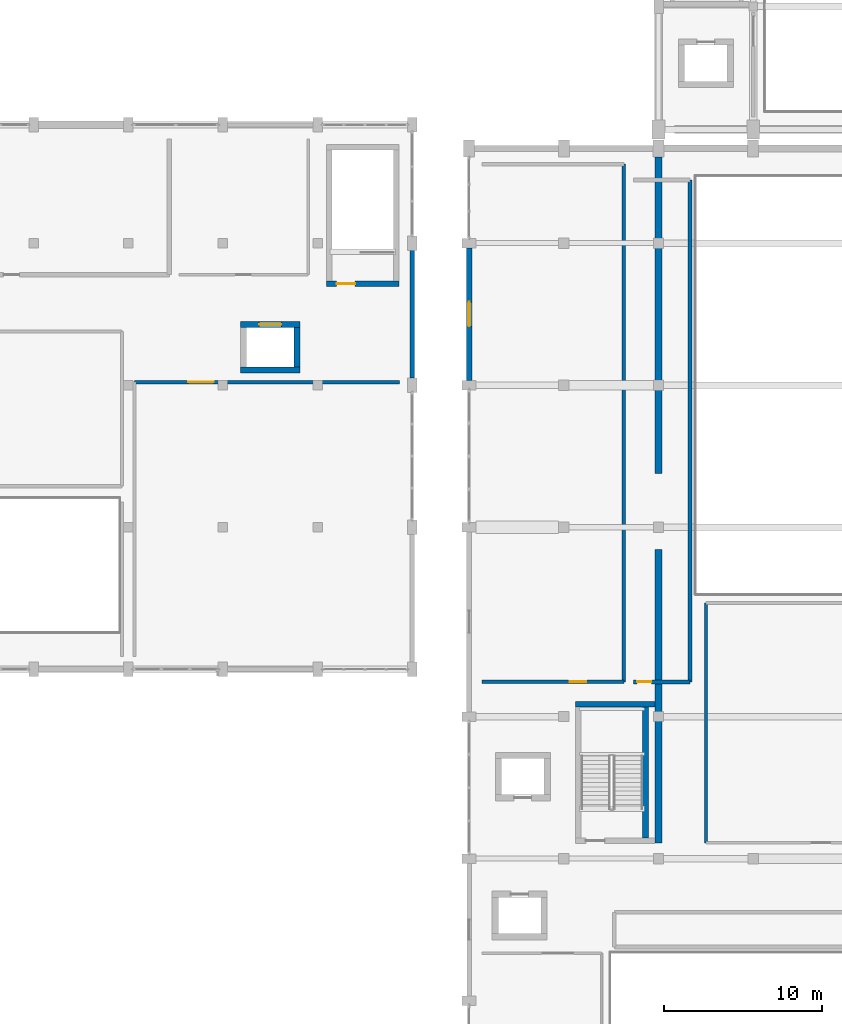
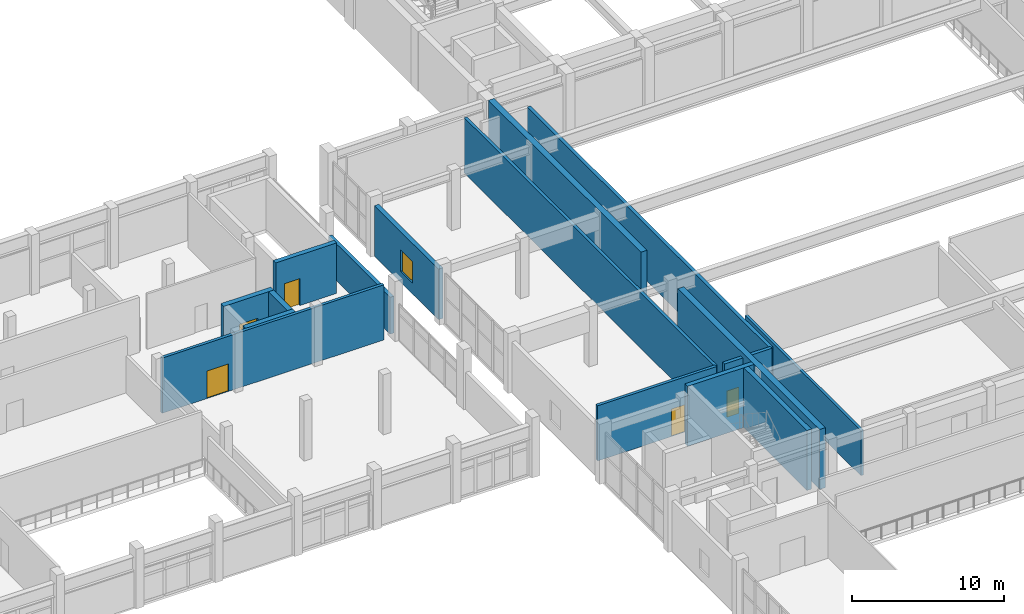
# One storey, part 40 of 62: 16 walls, 5 doors, 1 window, 6 openings.
"""IFC4 building model written with IfcOpenShell, lengths in metres."""

from ifc_helpers import new_model, si_unit, direction, frame, frame_2d, origin, place, context, subcontext, project, spatial, rectangle, extrude, material, layer, layer_set, type_object, element, fill, save


model = new_model("IFC4")

# Units and contexts
model_context = context("Model", 3, precision=1e-05, world=origin(), true_north=direction((0.0, 1.0)))
body_context = subcontext(model_context, "Body", "Model", "MODEL_VIEW")
ifc_project = project(units=[si_unit("LENGTHUNIT", "METRE"), si_unit("AREAUNIT", "SQUARE_METRE"), si_unit("VOLUMEUNIT", "CUBIC_METRE"), si_unit("PLANEANGLEUNIT", "RADIAN"), si_unit("MASSUNIT", "GRAM", prefix="KILO")], contexts=[model_context])

# Site, building, storey
site_placement = place(None, origin())
site = spatial("IfcSite", under=ifc_project, at=site_placement, CompositionType="ELEMENT")
building_placement = place(site_placement, origin())
building = spatial("IfcBuilding", under=site, at=building_placement, Name="Vaelkrest Opera House", CompositionType="ELEMENT")
storey_placement = place(building_placement, frame((0.0, 0.0, 19.800048828125)))
storey = spatial("IfcBuildingStorey", under=building, at=storey_placement, Name="L04", CompositionType="ELEMENT", Elevation=19.800048828125)

# Wall
ifc_material_1 = material(Name="Douglas fir glulam GL28h", Category="wood")
ifc_layer_1 = layer(ifc_material_1, 0.27490234375)
ifc_layer_set_1 = layer_set([ifc_layer_1], Name="Douglas fir glulam GL28h")
wall_type_1 = type_object("IfcWallType", Name="EW02", PredefinedType="STANDARD", material=ifc_layer_set_1)
wall_1_placement = place(storey_placement, frame((-33.60009765625, 9.751953125, 0.0), z_axis=(0.0, 0.0, 1.0), x_axis=(0.0, -1.0, 0.0)))
element("IfcWall", 1, at=wall_1_placement, inside=storey, type_object=wall_type_1, Name="Exterior facade wall EW-V3-L04-0202", PredefinedType="STANDARD", context=body_context, shape_type="SweptSolid", body=[
    extrude(rectangle(XDim=8.10400390625, YDim=0.27490234375, at=frame_2d((4.052001953125, 0.0))), origin(), (0.0, 0.0, 1.0), 2.9580078125),
])

# Wall, opening, window
ifc_material_2 = material(Name="American black walnut acoustic timber", Category="wood")
ifc_layer_2 = layer(ifc_material_2, 0.3349609375)
ifc_layer_set_2 = layer_set([ifc_layer_2], Name="American black walnut acoustic timber")
wall_type_2 = type_object("IfcWallType", Name="EW05", PredefinedType="STANDARD", material=ifc_layer_set_2)
wall_2_placement = place(storey_placement, frame((-30.0, 1.498046875, 0.0), z_axis=(0.0, 0.0, 1.0), x_axis=(0.0, 1.0, 0.0)))
wall_2 = element("IfcWall", 2, at=wall_2_placement, inside=storey, type_object=wall_type_2, Name="Exterior facade wall EW-V1-L04-0105", PredefinedType="STANDARD", context=body_context, shape_type="SweptSolid", body=[
    extrude(rectangle(XDim=8.404052734375, YDim=0.3349609375, at=frame_2d((4.2021484375, 0.0))), origin(), (0.0, 0.0, 1.0), 4.04296875),
])
opening_1_placement = place(wall_2_placement, frame((3.427001953125, 0.0, 0.85009765625)))
opening_1 = element("IfcOpeningElement", 3, at=opening_1_placement, cuts=wall_2, Name="Opening WN056", PredefinedType="OPENING", context=body_context, shape_type="SweptSolid", body=[
    extrude(rectangle(XDim=1.550048828125, YDim=1.75, at=frame_2d((0.77490234375, 0.875))), frame((0.0, 0.177490234375, 0.0), z_axis=(0.0, -1.0, 0.0), x_axis=(1.0, 0.0, 0.0)), (0.0, 0.0, 1.0), 0.35498046875),
])
ifc_material_3 = material(Name="Double low-E insulated glazing", Category="glass")
window_type = type_object("IfcWindowType", Name="WT04", PartitioningType="SINGLE_PANEL", PredefinedType="WINDOW", material=ifc_material_3)
window_placement = place(opening_1_placement, origin())
window = element("IfcWindow", 4, at=window_placement, inside=storey, type_object=window_type, Name="Facade window WN056", OverallHeight=1.75, OverallWidth=1.550048828125, PartitioningType="SINGLE_PANEL", PredefinedType="WINDOW", context=body_context, shape_type="SweptSolid", body=[
    extrude(rectangle(XDim=1.550048828125, YDim=1.75, at=frame_2d((0.77490234375, 0.875))), frame((0.0, 0.030029296875, 0.0), z_axis=(0.0, -1.0, 0.0), x_axis=(1.0, 0.0, 0.0)), (0.0, 0.0, 1.0), 0.06005859375),
])
fill(opening_1, window)

# Wall
ifc_material_4 = material(Name="Gypsum acoustic board", Category="gypsum")
ifc_layer_3 = layer(ifc_material_4, 0.195068359375)
ifc_layer_set_3 = layer_set([ifc_layer_3], Name="Gypsum acoustic board")
wall_type_3 = type_object("IfcWallType", Name="PT06", PredefinedType="PARTITIONING", material=ifc_layer_set_3)
wall_3_placement = place(storey_placement, frame((-15.0, -27.800048828125, 0.0), z_axis=(0.0, 0.0, 1.0), x_axis=(0.0, 1.0, 0.0)))
element("IfcWall", 5, at=wall_3_placement, inside=storey, type_object=wall_type_3, Name="Interior partition PT-V1-L04-0104", PredefinedType="PARTITIONING", context=body_context, shape_type="SweptSolid", body=[
    extrude(rectangle(XDim=15.199951171875, YDim=0.195068359375, at=frame_2d((7.60009765625, 0.0))), origin(), (0.0, 0.0, 1.0), 3.626953125),
])

# Wall, opening, door
ifc_layer_4 = layer(ifc_material_2, 0.22509765625)
ifc_layer_set_4 = layer_set([ifc_layer_4], Name="American black walnut acoustic timber")
wall_type_4 = type_object("IfcWallType", Name="PT08", PredefinedType="PARTITIONING", material=ifc_layer_set_4)
wall_4_placement = place(storey_placement, frame((-29.199951171875, -17.60009765625, 0.0), z_axis=(0.0, 0.0, 1.0), x_axis=(1.0, 0.0, 0.0)))
wall_4 = element("IfcWall", 6, at=wall_4_placement, inside=storey, type_object=wall_type_4, Name="Interior partition PT-V1-L04-0110", PredefinedType="PARTITIONING", context=body_context, shape_type="SweptSolid", body=[
    extrude(rectangle(XDim=9.0, YDim=0.22509765625, at=frame_2d((4.5, 0.0))), origin(), (0.0, 0.0, 1.0), 4.419921875),
])
opening_2_placement = place(wall_4_placement, frame((5.5791015625, 0.0, 0.0)))
opening_2 = element("IfcOpeningElement", 7, at=opening_2_placement, cuts=wall_4, Name="Opening D043", PredefinedType="OPENING", context=body_context, shape_type="SweptSolid", body=[
    extrude(rectangle(XDim=1.0400390625, YDim=2.199951171875, at=frame_2d((0.52001953125, 1.10009765625))), frame((0.0, 0.12255859375, 0.0), z_axis=(0.0, -1.0, 0.0), x_axis=(1.0, 0.0, 0.0)), (0.0, 0.0, 1.0), 0.2451171875),
])
door_type_1 = type_object("IfcDoorType", Name="DT22", OperationType="NOTDEFINED", PredefinedType="DOOR", material=ifc_material_2)
door_1_placement = place(opening_2_placement, origin())
door_1 = element("IfcDoor", 8, at=door_1_placement, inside=storey, type_object=door_type_1, Name="Interior door D043 (Broadcast Suite)", OperationType="SINGLE_SWING_RIGHT", OverallHeight=2.199951171875, OverallWidth=1.0400390625, PredefinedType="DOOR", context=body_context, shape_type="SweptSolid", body=[
    extrude(rectangle(XDim=1.0400390625, YDim=2.199951171875, at=frame_2d((0.52001953125, 1.10009765625))), frame((0.0, 0.02490234375, 0.0), z_axis=(0.0, -1.0, 0.0), x_axis=(1.0, 0.0, 0.0)), (0.0, 0.0, 1.0), 0.050048828125),
])
fill(opening_2, door_1)

# Wall
wall_5_placement = place(storey_placement, frame((-20.199951171875, -17.60009765625, 0.0), z_axis=(0.0, 0.0, 1.0), x_axis=(0.0, 1.0, 0.0)))
element("IfcWall", 9, at=wall_5_placement, inside=storey, type_object=wall_type_4, Name="Interior partition PT-V1-L04-0112", PredefinedType="PARTITIONING", context=body_context, shape_type="SweptSolid", body=[
    extrude(rectangle(XDim=32.800048828125, YDim=0.22509765625, at=frame_2d((16.39990234375, 0.0))), origin(), (0.0, 0.0, 1.0), 4.419921875),
])

# Wall, opening, door
wall_6_placement = place(storey_placement, frame((-51.199951171875, 1.39990234375, 0.0), z_axis=(0.0, 0.0, 1.0), x_axis=(1.0, 0.0, 0.0)))
wall_6 = element("IfcWall", 10, at=wall_6_placement, inside=storey, type_object=wall_type_4, Name="Interior partition PT-V3-L04-0316", PredefinedType="PARTITIONING", context=body_context, shape_type="SweptSolid", body=[
    extrude(rectangle(XDim=16.800048828125, YDim=0.22509765625, at=frame_2d((8.39990234375, 0.0))), origin(), (0.0, 0.0, 1.0), 4.419921875),
])
opening_3_placement = place(wall_6_placement, frame((3.39990234375, 0.0, 0.0)))
opening_3 = element("IfcOpeningElement", 11, at=opening_3_placement, cuts=wall_6, Name="Opening D127", PredefinedType="OPENING", context=body_context, shape_type="SweptSolid", body=[
    extrude(rectangle(XDim=1.6201171875, YDim=2.199951171875, at=frame_2d((0.81005859375, 1.10009765625))), frame((0.0, 0.12255859375, 0.0), z_axis=(0.0, -1.0, 0.0), x_axis=(1.0, 0.0, 0.0)), (0.0, 0.0, 1.0), 0.2451171875),
])
door_type_2 = type_object("IfcDoorType", Name="DT19", OperationType="DOUBLE_DOOR_SINGLE_SWING", PredefinedType="DOOR", material=ifc_material_2)
door_2_placement = place(opening_3_placement, origin())
door_2 = element("IfcDoor", 12, at=door_2_placement, inside=storey, type_object=door_type_2, Name="Interior door D127 (Coaching Suite)", OperationType="DOUBLE_DOOR_SINGLE_SWING", OverallHeight=2.199951171875, OverallWidth=1.6201171875, PredefinedType="DOOR", context=body_context, shape_type="SweptSolid", body=[
    extrude(rectangle(XDim=1.6201171875, YDim=2.199951171875, at=frame_2d((0.81005859375, 1.10009765625))), frame((0.0, 0.02490234375, 0.0), z_axis=(0.0, -1.0, 0.0), x_axis=(1.0, 0.0, 0.0)), (0.0, 0.0, 1.0), 0.050048828125),
])
fill(opening_3, door_2)

ifc_material_5 = material(Name="Concrete C40/50", Category="concrete")
ifc_layer_5 = layer(ifc_material_5, 0.260009765625)
ifc_layer_set_5 = layer_set([ifc_layer_5], Name="Concrete C40/50")
wall_type_5 = type_object("IfcWallType", Name="PT10", PredefinedType="PARTITIONING", material=ifc_layer_set_5)
wall_7_placement = place(storey_placement, frame((-19.60009765625, -17.60009765625, 0.0), z_axis=(0.0, 0.0, 1.0), x_axis=(1.0, 0.0, 0.0)))
wall_7 = element("IfcWall", 13, at=wall_7_placement, inside=storey, type_object=wall_type_5, Name="Interior partition PT-V1-L04-0118", PredefinedType="PARTITIONING", context=body_context, shape_type="SweptSolid", body=[
    extrude(rectangle(XDim=3.60009765625, YDim=0.260009765625, at=frame_2d((1.800048828125, 0.0))), origin(), (0.0, 0.0, 1.0), 4.419921875),
])
opening_4_placement = place(wall_7_placement, frame((0.25, 0.0, 0.0)))
opening_4 = element("IfcOpeningElement", 14, at=opening_4_placement, cuts=wall_7, Name="Opening D046", PredefinedType="OPENING", context=body_context, shape_type="SweptSolid", body=[
    extrude(rectangle(XDim=0.89990234375, YDim=2.10009765625, at=frame_2d((0.449951171875, 1.050048828125))), frame((0.0, 0.139892578125, 0.0), z_axis=(0.0, -1.0, 0.0), x_axis=(1.0, 0.0, 0.0)), (0.0, 0.0, 1.0), 0.280029296875),
])
door_type_3 = type_object("IfcDoorType", Name="DT01", OperationType="NOTDEFINED", PredefinedType="DOOR", material=ifc_material_2)
door_3_placement = place(opening_4_placement, origin())
door_3 = element("IfcDoor", 15, at=door_3_placement, inside=storey, type_object=door_type_3, Name="Interior door D046 (Music Library Archive)", OperationType="SINGLE_SWING_LEFT", OverallHeight=2.10009765625, OverallWidth=0.89990234375, PredefinedType="DOOR", context=body_context, shape_type="SweptSolid", body=[
    extrude(rectangle(XDim=0.89990234375, YDim=2.10009765625, at=frame_2d((0.449951171875, 1.050048828125))), frame((0.0, 0.02490234375, 0.0), z_axis=(0.0, -1.0, 0.0), x_axis=(1.0, 0.0, 0.0)), (0.0, 0.0, 1.0), 0.050048828125),
])
fill(opening_4, door_3)

# Walls
wall_8_placement = place(storey_placement, frame((-16.0, -17.60009765625, 0.0), z_axis=(0.0, 0.0, 1.0), x_axis=(0.0, 1.0, 0.0)))
element("IfcWall", 16, at=wall_8_placement, inside=storey, type_object=wall_type_5, Name="Interior partition PT-V1-L04-0120", PredefinedType="PARTITIONING", context=body_context, shape_type="SweptSolid", body=[
    extrude(rectangle(XDim=31.800048828125, YDim=0.260009765625, at=frame_2d((15.89990234375, 0.0))), origin(), (0.0, 0.0, 1.0), 4.419921875),
])
ifc_material_6 = material(Name="Concrete C50/60", Category="concrete")
ifc_layer_6 = layer(ifc_material_6, 0.35009765625)
ifc_layer_set_6 = layer_set([ifc_layer_6], Name="Concrete C50/60")
wall_type_6 = type_object("IfcWallType", Name="SW01", PredefinedType="SHEAR", material=ifc_layer_set_6)
wall_9_placement = place(storey_placement, frame((-23.25, -19.02490234375, 0.0), z_axis=(0.0, 0.0, 1.0), x_axis=(1.0, 0.0, 0.0)))
element("IfcWall", 17, at=wall_9_placement, inside=storey, type_object=wall_type_6, Name="Stair core ST01 wall L04 N", PredefinedType="SHEAR", context=body_context, shape_type="SweptSolid", body=[
    extrude(rectangle(XDim=5.02490234375, YDim=0.35009765625, at=frame_2d((2.512451171875, 0.0))), origin(), (0.0, 0.0, 1.0), 4.800048828125),
])
wall_10_placement = place(storey_placement, frame((-18.824951171875, -19.199951171875, 0.0), z_axis=(0.0, 0.0, 1.0), x_axis=(0.0, -1.0, 0.0)))
element("IfcWall", 18, at=wall_10_placement, inside=storey, type_object=wall_type_6, Name="Stair core ST01 wall L04 E", PredefinedType="SHEAR", context=body_context, shape_type="SweptSolid", body=[
    extrude(rectangle(XDim=8.300048828125, YDim=0.35009765625, at=frame_2d((4.14990234375, 0.0))), origin(), (0.0, 0.0, 1.0), 4.800048828125),
])

# Wall, opening, door
wall_11_placement = place(storey_placement, frame((-34.449951171875, 7.625, 0.0), z_axis=(0.0, 0.0, 1.0), x_axis=(-1.0, 0.0, 0.0)))
wall_11 = element("IfcWall", 19, at=wall_11_placement, inside=storey, type_object=wall_type_6, Name="Stair core ST08 wall L04 S", PredefinedType="SHEAR", context=body_context, shape_type="SweptSolid", body=[
    extrude(rectangle(XDim=4.60009765625, YDim=0.35009765625, at=frame_2d((2.300048828125, 0.0))), origin(), (0.0, 0.0, 1.0), 4.044921875),
])
opening_5_placement = place(wall_11_placement, frame((2.77001953125, 0.0, 0.0)))
opening_5 = element("IfcOpeningElement", 20, at=opening_5_placement, cuts=wall_11, Name="Opening SD-ST08-L04", PredefinedType="OPENING", context=body_context, shape_type="SweptSolid", body=[
    extrude(rectangle(XDim=1.179931640625, YDim=2.14990234375, at=frame_2d((0.58984375, 1.074951171875))), frame((0.0, 0.18505859375, 0.0), z_axis=(0.0, -1.0, 0.0), x_axis=(1.0, 0.0, 0.0)), (0.0, 0.0, 1.0), 0.3701171875),
])
door_type_4 = type_object("IfcDoorType", Name="DT07", OperationType="NOTDEFINED", PredefinedType="DOOR", material=ifc_material_2)
door_4_placement = place(opening_5_placement, origin())
door_4 = element("IfcDoor", 21, at=door_4_placement, inside=storey, type_object=door_type_4, Name="Protected stair door SD-ST08-L04", OperationType="SINGLE_SWING_LEFT", OverallHeight=2.14990234375, OverallWidth=1.179931640625, PredefinedType="DOOR", context=body_context, shape_type="SweptSolid", body=[
    extrude(rectangle(XDim=1.179931640625, YDim=2.14990234375, at=frame_2d((0.58984375, 1.074951171875))), frame((0.0, 0.02490234375, 0.0), z_axis=(0.0, -1.0, 0.0), x_axis=(1.0, 0.0, 0.0)), (0.0, 0.0, 1.0), 0.050048828125),
])
fill(opening_5, door_4)

# Wall
ifc_layer_7 = layer(ifc_material_6, 0.389892578125)
ifc_layer_set_7 = layer_set([ifc_layer_7], Name="Concrete C50/60")
wall_type_7 = type_object("IfcWallType", Name="SW02", PredefinedType="SHEAR", material=ifc_layer_set_7)
wall_12_placement = place(storey_placement, frame((-40.7099609375, 2.155029296875, 0.0), z_axis=(0.0, 0.0, 1.0), x_axis=(-1.0, 0.0, 0.0)))
element("IfcWall", 22, at=wall_12_placement, inside=storey, type_object=wall_type_7, Name="Lift shaft LP05 wall L04 S", PredefinedType="SHEAR", context=body_context, shape_type="SweptSolid", body=[
    extrude(rectangle(XDim=3.780029296875, YDim=0.389892578125, at=frame_2d((1.89013671875, 0.0))), origin(), (0.0, 0.0, 1.0), 4.044921875),
])

# Wall, opening, door
wall_13_placement = place(storey_placement, frame((-44.489990234375, 5.044921875, 0.0), z_axis=(0.0, 0.0, 1.0), x_axis=(1.0, 0.0, 0.0)))
wall_13 = element("IfcWall", 23, at=wall_13_placement, inside=storey, type_object=wall_type_7, Name="Lift shaft LP05 wall L04 N", PredefinedType="SHEAR", context=body_context, shape_type="SweptSolid", body=[
    extrude(rectangle(XDim=3.780029296875, YDim=0.389892578125, at=frame_2d((1.89013671875, 0.0))), origin(), (0.0, 0.0, 1.0), 4.044921875),
])
opening_6_placement = place(wall_13_placement, frame((1.18994140625, 0.0, 0.0)))
opening_6 = element("IfcOpeningElement", 24, at=opening_6_placement, cuts=wall_13, Name="Opening LD-LP05-L04", PredefinedType="OPENING", context=body_context, shape_type="SweptSolid", body=[
    extrude(rectangle(XDim=1.39990234375, YDim=2.199951171875, at=frame_2d((0.699951171875, 1.10009765625))), frame((0.0, 0.204833984375, 0.0), z_axis=(0.0, -1.0, 0.0), x_axis=(1.0, 0.0, 0.0)), (0.0, 0.0, 1.0), 0.409912109375),
])
ifc_material_7 = material(Name="Dark bronze anodized aluminium", Category="aluminium")
door_type_5 = type_object("IfcDoorType", Name="LDT02", OperationType="SLIDING_TO_LEFT", PredefinedType="DOOR", material=ifc_material_7)
door_5_placement = place(opening_6_placement, origin())
door_5 = element("IfcDoor", 25, at=door_5_placement, inside=storey, type_object=door_type_5, Name="Lift landing sliding door LD-LP05-L04", OperationType="SLIDING_TO_LEFT", OverallHeight=2.199951171875, OverallWidth=1.39990234375, PredefinedType="DOOR", context=body_context, shape_type="SweptSolid", body=[
    extrude(rectangle(XDim=1.39990234375, YDim=2.199951171875, at=frame_2d((0.699951171875, 1.10009765625))), frame((0.0, 0.02490234375, 0.0), z_axis=(0.0, -1.0, 0.0), x_axis=(1.0, 0.0, 0.0)), (0.0, 0.0, 1.0), 0.050048828125),
])
fill(opening_6, door_5)

# Walls
wall_14_placement = place(storey_placement, frame((-40.905029296875, 4.85009765625, 0.0), z_axis=(0.0, 0.0, 1.0), x_axis=(0.0, -1.0, 0.0)))
element("IfcWall", 26, at=wall_14_placement, inside=storey, type_object=wall_type_7, Name="Lift shaft LP05 wall L04 E", PredefinedType="SHEAR", context=body_context, shape_type="SweptSolid", body=[
    extrude(rectangle(XDim=2.5, YDim=0.389892578125, at=frame_2d((1.25, 0.0))), origin(), (0.0, 0.0, 1.0), 4.044921875),
])
ifc_layer_8 = layer(ifc_material_6, 0.449951171875)
ifc_layer_set_8 = layer_set([ifc_layer_8], Name="Concrete C50/60")
wall_type_8 = type_object("IfcWallType", Name="SW03", PredefinedType="SHEAR", material=ifc_layer_set_8)
wall_15_placement = place(storey_placement, frame((-18.0, -27.800048828125, 0.0), z_axis=(0.0, 0.0, 1.0), x_axis=(0.0, 1.0, 0.0)))
element("IfcWall", 27, at=wall_15_placement, inside=storey, type_object=wall_type_8, Name="Auditorium shell wall W1 L04", PredefinedType="SHEAR", context=body_context, shape_type="SweptSolid", body=[
    extrude(rectangle(XDim=18.60009765625, YDim=0.449951171875, at=frame_2d((9.300048828125, 0.0))), origin(), (0.0, 0.0, 1.0), 4.800048828125),
])
wall_16_placement = place(storey_placement, frame((-18.0, -4.39990234375, 0.0), z_axis=(0.0, 0.0, 1.0), x_axis=(0.0, 1.0, 0.0)))
element("IfcWall", 28, at=wall_16_placement, inside=storey, type_object=wall_type_8, Name="Auditorium shell wall W2 L04", PredefinedType="SHEAR", context=body_context, shape_type="SweptSolid", body=[
    extrude(rectangle(XDim=20.0498046875, YDim=0.449951171875, at=frame_2d((10.02490234375, 0.0))), origin(), (0.0, 0.0, 1.0), 4.800048828125),
])

save(model, "model.ifc")
